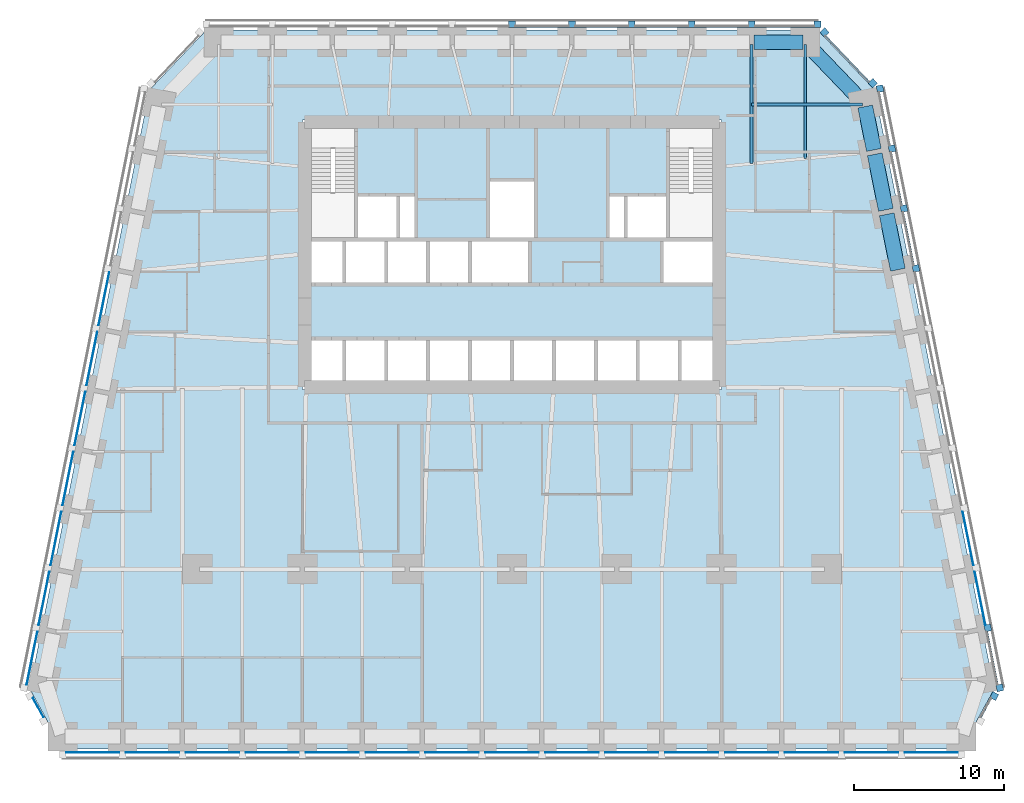
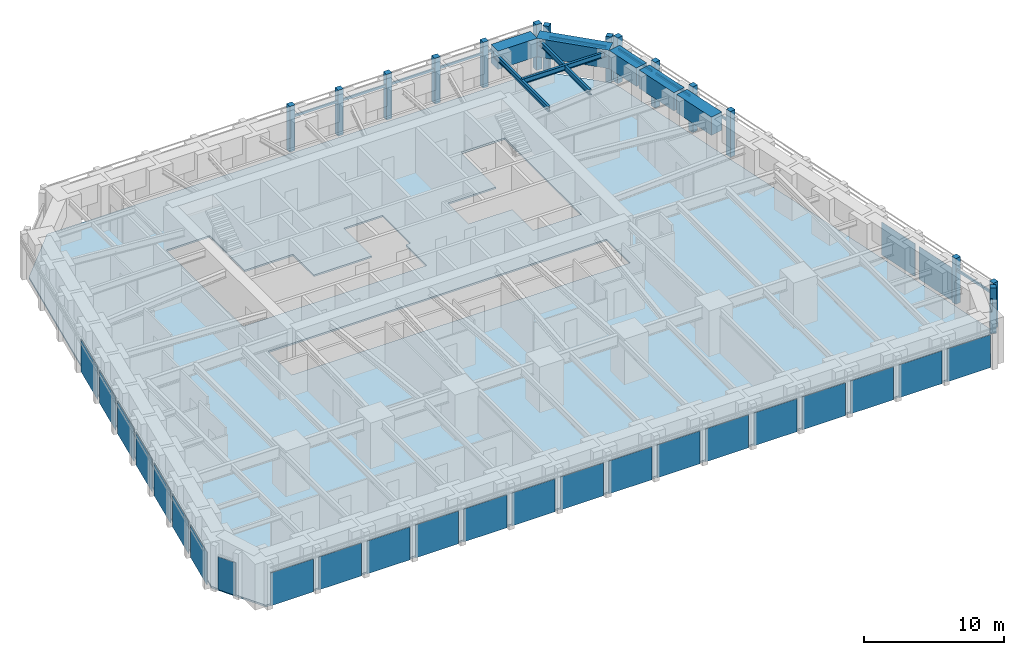
# One storey, part 4 of 10: 26 members, 25 plates, 8 beams, 1 slab, 7 elements without a shape of their own.
"""IFC4 building model written with IfcOpenShell, lengths in metres."""

from ifc_helpers import new_model, si_unit, direction, frame, origin, origin_2d, place, context, subcontext, project, spatial, polyline, rectangle, i_section, outline, extrude, material, layer, layer_set, material_profile, profile_set, type_object, element, aggregate, save


model = new_model("IFC4")

# Units and contexts
model_context = context("Model", 3, precision=1e-05, world=origin(), true_north=direction((0.0, 1.0)))
body_context = subcontext(model_context, "Body", "Model", "MODEL_VIEW")
ifc_project = project(units=[si_unit("LENGTHUNIT", "METRE"), si_unit("AREAUNIT", "SQUARE_METRE"), si_unit("VOLUMEUNIT", "CUBIC_METRE"), si_unit("PLANEANGLEUNIT", "RADIAN"), si_unit("MASSUNIT", "GRAM", prefix="KILO")], contexts=[model_context])

# Site, building, storey
site_placement = place(None, origin())
site = spatial("IfcSite", under=ifc_project, at=site_placement, CompositionType="ELEMENT")
building_placement = place(site_placement, origin())
building = spatial("IfcBuilding", under=site, at=building_placement, Name="Isbrekke Arena Tower", CompositionType="ELEMENT")
storey_placement = place(building_placement, frame((0.0, 0.0, 56.0)))
storey = spatial("IfcBuildingStorey", under=building, at=storey_placement, Name="L11", CompositionType="ELEMENT", Elevation=56.0)

# Beams
ifc_material_1 = material(Name="Steel S355", Category="steel")
ifc_material_profile_1 = material_profile(ifc_material_1, i_section(OverallWidth=0.18994140625, OverallDepth=0.449951171875, WebThickness=0.009521484375, FlangeThickness=0.0146484375, FilletRadius=0.02099609375, at=origin_2d()), Name="IPE 450")
ifc_profile_set_1 = profile_set([ifc_material_profile_1], Name="Steel S355")
beam_type_1 = type_object("IfcBeamType", Name="B2 IPE 450", PredefinedType="BEAM", material=ifc_profile_set_1)
beam_1_placement = place(storey_placement, frame((23.40283203125, 25.029296875, 3.625), z_axis=(-1.0, 0.0, 0.0), x_axis=(0.0, -1.0, 0.0)))
element("IfcBeam", 1, at=beam_1_placement, inside=storey, type_object=beam_type_1, Name="B2 beam E-E11 L11", PredefinedType="BEAM", context=body_context, shape_type="SweptSolid", body=[
    extrude(i_section(OverallWidth=0.18994140625, OverallDepth=0.449951171875, WebThickness=0.009521484375, FlangeThickness=0.0146484375, FilletRadius=0.02099609375, at=origin_2d()), origin(), (0.0, 0.0, 1.0), 7.40283203125),
])
ifc_material_2 = material(Name="Steel S355", Category="steel")
ifc_material_profile_2 = material_profile(ifc_material_2, i_section(OverallWidth=0.18994140625, OverallDepth=0.449951171875, WebThickness=0.009521484375, FlangeThickness=0.0146484375, FilletRadius=0.02099609375, at=origin_2d()), Name="IPE 450")
ifc_profile_set_2 = profile_set([ifc_material_profile_2], Name="Steel S355")
beam_type_2 = type_object("IfcBeamType", Name="B3 IPE 450", PredefinedType="BEAM", material=ifc_profile_set_2)
beam_2_placement = place(storey_placement, frame((19.574951171875, 29.02490234375, 3.625), z_axis=(0.0, -1.0, 0.0), x_axis=(1.0, 0.0, 0.0)))
element("IfcBeam", 2, at=beam_2_placement, inside=storey, type_object=beam_type_2, Name="B3 beam N-N01 L11", PredefinedType="BEAM", context=body_context, shape_type="SweptSolid", body=[
    extrude(i_section(OverallWidth=0.18994140625, OverallDepth=0.449951171875, WebThickness=0.009521484375, FlangeThickness=0.0146484375, FilletRadius=0.02099609375, at=origin_2d()), origin(), (0.0, 0.0, 1.0), 7.616943359375),
])
beam_3_placement = place(storey_placement, frame((16.0, 29.02490234375, 3.625), z_axis=(0.0, -1.0, 0.0), x_axis=(1.0, 0.0, 0.0)))
element("IfcBeam", 3, at=beam_3_placement, inside=storey, type_object=beam_type_2, Name="B3 beam N-N02 L11", PredefinedType="BEAM", context=body_context, shape_type="SweptSolid", body=[
    extrude(i_section(OverallWidth=0.18994140625, OverallDepth=0.449951171875, WebThickness=0.009521484375, FlangeThickness=0.0146484375, FilletRadius=0.02099609375, at=origin_2d()), origin(), (0.0, 0.0, 1.0), 7.961181640625),
])

# Curtain wall, member
ifc_material_3 = material(Name="Glazed aluminium curtain wall", Category="aluminium")
curtain_wall_type = type_object("IfcCurtainWallType", Name="CWL TOWER CURTAIN WALL LOW ZONE", PredefinedType="USERDEFINED", material=ifc_material_3)
curtain_wall_1_placement = place(storey_placement, origin())
curtain_wall_1 = element("IfcCurtainWall", 4, at=curtain_wall_1_placement, inside=storey, type_object=curtain_wall_type, Name="CWL curtain wall L11-SE", ObjectType="TOWER CURTAIN WALL LOW ZONE", PredefinedType="USERDEFINED")
ifc_material_4 = material(Name="Aluminium mullion, pale brick slip cladding", Category="masonry")
ifc_material_profile_3 = material_profile(ifc_material_4, rectangle(XDim=0.449951171875, YDim=0.449951171875, at=origin_2d()), Name="PIER 450X450")
ifc_profile_set_3 = profile_set([ifc_material_profile_3], Name="Aluminium mullion, pale brick slip cladding")
member_type_1 = type_object("IfcMemberType", Name="CWL-M PIER MULLION 450 x 450", PredefinedType="MULLION", material=ifc_profile_set_3)
member_1_placement = place(storey_placement, frame((32.195556640625, -14.47509765625, 0.0), z_axis=(0.0, 0.0, 1.0), x_axis=(0.481918749773, 0.876215908676, 0.0)))
member_1 = element("IfcMember", 5, at=member_1_placement, type_object=member_type_1, Name="CWL-M mullion 2", PredefinedType="MULLION", context=body_context, shape_type="SweptSolid", body=[
    extrude(rectangle(XDim=0.449951171875, YDim=0.449951171875, at=origin_2d()), origin(), (0.0, 0.0, 1.0), 4.0),
])

# Curtain wall, members
curtain_wall_2_placement = place(storey_placement, origin())
curtain_wall_2 = element("IfcCurtainWall", 6, at=curtain_wall_2_placement, inside=storey, type_object=curtain_wall_type, Name="CWL curtain wall L11-E", ObjectType="TOWER CURTAIN WALL LOW ZONE", PredefinedType="USERDEFINED")
member_2_placement = place(storey_placement, frame((32.567626953125, -13.926513671875, 0.0), z_axis=(0.0, 0.0, 1.0), x_axis=(-0.196116135138, 0.980580675691, 0.0)))
member_2 = element("IfcMember", 7, at=member_2_placement, type_object=member_type_1, Name="CWL-M mullion 1", PredefinedType="MULLION", context=body_context, shape_type="SweptSolid", body=[
    extrude(rectangle(XDim=0.449951171875, YDim=0.449951171875, at=origin_2d()), origin(), (0.0, 0.0, 1.0), 4.0),
])
member_3_placement = place(storey_placement, frame((31.767822265625, -9.926513671875, 0.0), z_axis=(0.0, 0.0, 1.0), x_axis=(-0.196116135138, 0.980580675691, 0.0)))
member_3 = element("IfcMember", 8, at=member_3_placement, type_object=member_type_1, Name="CWL-M mullion 2", PredefinedType="MULLION", context=body_context, shape_type="SweptSolid", body=[
    extrude(rectangle(XDim=0.449951171875, YDim=0.449951171875, at=origin_2d()), origin(), (0.0, 0.0, 1.0), 4.0),
])
member_4_placement = place(storey_placement, frame((26.9677734375, 14.073486328125, 0.0), z_axis=(0.0, 0.0, 1.0), x_axis=(-0.196116135138, 0.980580675691, 0.0)))
member_4 = element("IfcMember", 9, at=member_4_placement, type_object=member_type_1, Name="CWL-M mullion 8", PredefinedType="MULLION", context=body_context, shape_type="SweptSolid", body=[
    extrude(rectangle(XDim=0.449951171875, YDim=0.449951171875, at=origin_2d()), origin(), (0.0, 0.0, 1.0), 4.0),
])
member_5_placement = place(storey_placement, frame((26.167724609375, 18.073486328125, 0.0), z_axis=(0.0, 0.0, 1.0), x_axis=(-0.196116135138, 0.980580675691, 0.0)))
member_5 = element("IfcMember", 10, at=member_5_placement, type_object=member_type_1, Name="CWL-M mullion 9", PredefinedType="MULLION", context=body_context, shape_type="SweptSolid", body=[
    extrude(rectangle(XDim=0.449951171875, YDim=0.449951171875, at=origin_2d()), origin(), (0.0, 0.0, 1.0), 4.0),
])
member_6_placement = place(storey_placement, frame((25.36767578125, 22.073486328125, 0.0), z_axis=(0.0, 0.0, 1.0), x_axis=(-0.196116135138, 0.980580675691, 0.0)))
member_6 = element("IfcMember", 11, at=member_6_placement, type_object=member_type_1, Name="CWL-M mullion 10", PredefinedType="MULLION", context=body_context, shape_type="SweptSolid", body=[
    extrude(rectangle(XDim=0.449951171875, YDim=0.449951171875, at=origin_2d()), origin(), (0.0, 0.0, 1.0), 4.0),
])
member_7_placement = place(storey_placement, frame((24.567626953125, 26.073486328125, 0.0), z_axis=(0.0, 0.0, 1.0), x_axis=(-0.196116135138, 0.980580675691, 0.0)))
member_7 = element("IfcMember", 12, at=member_7_placement, type_object=member_type_1, Name="CWL-M mullion 11", PredefinedType="MULLION", context=body_context, shape_type="SweptSolid", body=[
    extrude(rectangle(XDim=0.449951171875, YDim=0.449951171875, at=origin_2d()), origin(), (0.0, 0.0, 1.0), 4.0),
])

curtain_wall_3_placement = place(storey_placement, origin())
curtain_wall_3 = element("IfcCurtainWall", 13, at=curtain_wall_3_placement, inside=storey, type_object=curtain_wall_type, Name="CWL curtain wall L11-EN", ObjectType="TOWER CURTAIN WALL LOW ZONE", PredefinedType="USERDEFINED")
member_8_placement = place(storey_placement, frame((24.08837890625, 26.444091796875, 0.0), z_axis=(0.0, 0.0, 1.0), x_axis=(-0.68874946192, 0.72499943359, 0.0)))
member_8 = element("IfcMember", 14, at=member_8_placement, type_object=member_type_1, Name="CWL-M mullion 1", PredefinedType="MULLION", context=body_context, shape_type="SweptSolid", body=[
    extrude(rectangle(XDim=0.449951171875, YDim=0.449951171875, at=origin_2d()), origin(), (0.0, 0.0, 1.0), 4.0),
])
member_9_placement = place(storey_placement, frame((20.86572265625, 29.83642578125, 0.0), z_axis=(0.0, 0.0, 1.0), x_axis=(-0.68874946192, 0.72499943359, 0.0)))
member_9 = element("IfcMember", 15, at=member_9_placement, type_object=member_type_1, Name="CWL-M mullion 2", PredefinedType="MULLION", context=body_context, shape_type="SweptSolid", body=[
    extrude(rectangle(XDim=0.449951171875, YDim=0.449951171875, at=origin_2d()), origin(), (0.0, 0.0, 1.0), 4.0),
])

curtain_wall_4_placement = place(storey_placement, origin())
curtain_wall_4 = element("IfcCurtainWall", 16, at=curtain_wall_4_placement, inside=storey, type_object=curtain_wall_type, Name="CWL curtain wall L11-N", ObjectType="TOWER CURTAIN WALL LOW ZONE", PredefinedType="USERDEFINED")
member_10_placement = place(storey_placement, frame((20.39990234375, 30.375, 0.0), z_axis=(0.0, 0.0, 1.0), x_axis=(-1.0, 0.0, 0.0)))
member_10 = element("IfcMember", 17, at=member_10_placement, type_object=member_type_1, Name="CWL-M mullion 1", PredefinedType="MULLION", context=body_context, shape_type="SweptSolid", body=[
    extrude(rectangle(XDim=0.449951171875, YDim=0.449951171875, at=origin_2d()), origin(), (0.0, 0.0, 1.0), 4.0),
])
member_11_placement = place(storey_placement, frame((16.0, 30.375, 0.0), z_axis=(0.0, 0.0, 1.0), x_axis=(-1.0, 0.0, 0.0)))
member_11 = element("IfcMember", 18, at=member_11_placement, type_object=member_type_1, Name="CWL-M mullion 2", PredefinedType="MULLION", context=body_context, shape_type="SweptSolid", body=[
    extrude(rectangle(XDim=0.449951171875, YDim=0.449951171875, at=origin_2d()), origin(), (0.0, 0.0, 1.0), 4.0),
])
member_12_placement = place(storey_placement, frame((12.0, 30.375, 0.0), z_axis=(0.0, 0.0, 1.0), x_axis=(-1.0, 0.0, 0.0)))
member_12 = element("IfcMember", 19, at=member_12_placement, type_object=member_type_1, Name="CWL-M mullion 3", PredefinedType="MULLION", context=body_context, shape_type="SweptSolid", body=[
    extrude(rectangle(XDim=0.449951171875, YDim=0.449951171875, at=origin_2d()), origin(), (0.0, 0.0, 1.0), 4.0),
])
member_13_placement = place(storey_placement, frame((8.0, 30.375, 0.0), z_axis=(0.0, 0.0, 1.0), x_axis=(-1.0, 0.0, 0.0)))
member_13 = element("IfcMember", 20, at=member_13_placement, type_object=member_type_1, Name="CWL-M mullion 4", PredefinedType="MULLION", context=body_context, shape_type="SweptSolid", body=[
    extrude(rectangle(XDim=0.449951171875, YDim=0.449951171875, at=origin_2d()), origin(), (0.0, 0.0, 1.0), 4.0),
])
member_14_placement = place(storey_placement, frame((4.0, 30.375, 0.0), z_axis=(0.0, 0.0, 1.0), x_axis=(-1.0, 0.0, 0.0)))
member_14 = element("IfcMember", 21, at=member_14_placement, type_object=member_type_1, Name="CWL-M mullion 5", PredefinedType="MULLION", context=body_context, shape_type="SweptSolid", body=[
    extrude(rectangle(XDim=0.449951171875, YDim=0.449951171875, at=origin_2d()), origin(), (0.0, 0.0, 1.0), 4.0),
])
member_15_placement = place(storey_placement, frame((0.0, 30.375, 0.0), z_axis=(0.0, 0.0, 1.0), x_axis=(-1.0, 0.0, 0.0)))
member_15 = element("IfcMember", 22, at=member_15_placement, type_object=member_type_1, Name="CWL-M mullion 6", PredefinedType="MULLION", context=body_context, shape_type="SweptSolid", body=[
    extrude(rectangle(XDim=0.449951171875, YDim=0.449951171875, at=origin_2d()), origin(), (0.0, 0.0, 1.0), 4.0),
])

# Member
ifc_material_5 = material(Name="Aluminium transom", Category="aluminium")
ifc_material_profile_4 = material_profile(ifc_material_5, rectangle(XDim=0.1201171875, YDim=0.199951171875, at=origin_2d()), Name="TRANSOM 120X200")
ifc_profile_set_4 = profile_set([ifc_material_profile_4], Name="Aluminium transom")
member_type_2 = type_object("IfcMemberType", Name="CWL-T TRANSOM 120 x 200", PredefinedType="USERDEFINED", material=ifc_profile_set_4)
member_16_placement = place(storey_placement, frame((31.277099609375, -15.88525390625, 3.0), z_axis=(0.481944543569, 0.876201721594, 0.0), x_axis=(-0.876201721594, 0.481944543569, 0.0)))
member_16 = element("IfcMember", 23, at=member_16_placement, type_object=member_type_2, Name="CWL-T transom 1", ObjectType="TRANSOM", PredefinedType="USERDEFINED", context=body_context, shape_type="SweptSolid", body=[
    extrude(rectangle(XDim=0.1201171875, YDim=0.199951171875, at=origin_2d()), origin(), (0.0, 0.0, 1.0), 1.453369140625),
])

aggregate(curtain_wall_1, [member_1, member_16])

member_17_placement = place(storey_placement, frame((32.401123046875, -13.730224609375, 3.0), z_axis=(-0.196167883278, 0.980570324643, 0.0), x_axis=(-0.980570324643, -0.196167883278, 0.0)))
member_17 = element("IfcMember", 24, at=member_17_placement, type_object=member_type_2, Name="CWL-T transom 1", ObjectType="TRANSOM", PredefinedType="USERDEFINED", context=body_context, shape_type="SweptSolid", body=[
    extrude(rectangle(XDim=0.1201171875, YDim=0.199951171875, at=origin_2d()), origin(), (0.0, 0.0, 1.0), 3.629150390625),
])

member_18_placement = place(storey_placement, frame((26.801025390625, 14.269775390625, 3.0), z_axis=(-0.196103197847, 0.98058326306, 0.0), x_axis=(-0.98058326306, -0.196103197847, 0.0)))
member_18 = element("IfcMember", 25, at=member_18_placement, type_object=member_type_2, Name="CWL-T transom 8", ObjectType="TRANSOM", PredefinedType="USERDEFINED", context=body_context, shape_type="SweptSolid", body=[
    extrude(rectangle(XDim=0.1201171875, YDim=0.199951171875, at=origin_2d()), origin(), (0.0, 0.0, 1.0), 3.629150390625),
])

member_19_placement = place(storey_placement, frame((26.0009765625, 18.269775390625, 3.0), z_axis=(-0.196103197847, 0.98058326306, 0.0), x_axis=(-0.98058326306, -0.196103197847, 0.0)))
member_19 = element("IfcMember", 26, at=member_19_placement, type_object=member_type_2, Name="CWL-T transom 9", ObjectType="TRANSOM", PredefinedType="USERDEFINED", context=body_context, shape_type="SweptSolid", body=[
    extrude(rectangle(XDim=0.1201171875, YDim=0.199951171875, at=origin_2d()), origin(), (0.0, 0.0, 1.0), 3.629150390625),
])

member_20_placement = place(storey_placement, frame((25.200927734375, 22.269775390625, 3.0), z_axis=(-0.196103197847, 0.98058326306, 0.0), x_axis=(-0.98058326306, -0.196103197847, 0.0)))
member_20 = element("IfcMember", 27, at=member_20_placement, type_object=member_type_2, Name="CWL-T transom 10", ObjectType="TRANSOM", PredefinedType="USERDEFINED", context=body_context, shape_type="SweptSolid", body=[
    extrude(rectangle(XDim=0.1201171875, YDim=0.199951171875, at=origin_2d()), origin(), (0.0, 0.0, 1.0), 3.629150390625),
])

member_21_placement = place(storey_placement, frame((23.8427734375, 26.521240234375, 3.0), z_axis=(-0.688776771287, 0.724973488712, 0.0), x_axis=(-0.724973488712, -0.688776771287, 0.0)))
member_21 = element("IfcMember", 28, at=member_21_placement, type_object=member_type_2, Name="CWL-T transom 1", ObjectType="TRANSOM", PredefinedType="USERDEFINED", context=body_context, shape_type="SweptSolid", body=[
    extrude(rectangle(XDim=0.1201171875, YDim=0.199951171875, at=origin_2d()), origin(), (0.0, 0.0, 1.0), 4.22900390625),
])

aggregate(curtain_wall_3, [member_8, member_9, member_21])

member_22_placement = place(storey_placement, frame((20.175048828125, 30.25, 3.0), z_axis=(-1.0, 0.0, 0.0), x_axis=(0.0, -1.0, 0.0)))
member_22 = element("IfcMember", 29, at=member_22_placement, type_object=member_type_2, Name="CWL-T transom 1", ObjectType="TRANSOM", PredefinedType="USERDEFINED", context=body_context, shape_type="SweptSolid", body=[
    extrude(rectangle(XDim=0.1201171875, YDim=0.199951171875, at=origin_2d()), origin(), (0.0, 0.0, 1.0), 3.949951171875),
])

member_23_placement = place(storey_placement, frame((15.77490234375, 30.25, 3.0), z_axis=(-1.0, 0.0, 0.0), x_axis=(0.0, -1.0, 0.0)))
member_23 = element("IfcMember", 30, at=member_23_placement, type_object=member_type_2, Name="CWL-T transom 2", ObjectType="TRANSOM", PredefinedType="USERDEFINED", context=body_context, shape_type="SweptSolid", body=[
    extrude(rectangle(XDim=0.1201171875, YDim=0.199951171875, at=origin_2d()), origin(), (0.0, 0.0, 1.0), 3.5498046875),
])

member_24_placement = place(storey_placement, frame((11.77490234375, 30.25, 3.0), z_axis=(-1.0, 0.0, 0.0), x_axis=(0.0, -1.0, 0.0)))
member_24 = element("IfcMember", 31, at=member_24_placement, type_object=member_type_2, Name="CWL-T transom 3", ObjectType="TRANSOM", PredefinedType="USERDEFINED", context=body_context, shape_type="SweptSolid", body=[
    extrude(rectangle(XDim=0.1201171875, YDim=0.199951171875, at=origin_2d()), origin(), (0.0, 0.0, 1.0), 3.5498046875),
])

member_25_placement = place(storey_placement, frame((7.77490234375, 30.25, 3.0), z_axis=(-1.0, 0.0, 0.0), x_axis=(0.0, -1.0, 0.0)))
member_25 = element("IfcMember", 32, at=member_25_placement, type_object=member_type_2, Name="CWL-T transom 4", ObjectType="TRANSOM", PredefinedType="USERDEFINED", context=body_context, shape_type="SweptSolid", body=[
    extrude(rectangle(XDim=0.1201171875, YDim=0.199951171875, at=origin_2d()), origin(), (0.0, 0.0, 1.0), 3.5498046875),
])

member_26_placement = place(storey_placement, frame((3.77490234375, 30.25, 3.0), z_axis=(-1.0, 0.0, 0.0), x_axis=(0.0, -1.0, 0.0)))
member_26 = element("IfcMember", 33, at=member_26_placement, type_object=member_type_2, Name="CWL-T transom 5", ObjectType="TRANSOM", PredefinedType="USERDEFINED", context=body_context, shape_type="SweptSolid", body=[
    extrude(rectangle(XDim=0.1201171875, YDim=0.199951171875, at=origin_2d()), origin(), (0.0, 0.0, 1.0), 3.5498046875),
])

aggregate(curtain_wall_4, [member_10, member_11, member_12, member_13, member_14, member_15, member_22, member_23, member_24, member_25, member_26])

# Beams
ifc_material_6 = material(Name="Concrete B90 (C90/105)", Category="concrete")
ifc_material_profile_5 = material_profile(ifc_material_6, rectangle(XDim=1.0, YDim=1.60009765625, at=origin_2d()), Name="RC 1000x1600")
ifc_profile_set_5 = profile_set([ifc_material_profile_5], Name="Concrete B90 (C90/105)")
beam_type_3 = type_object("IfcBeamType", Name="SB1 RC 1000 x 1600", PredefinedType="SPANDREL", material=ifc_profile_set_5)
for number, where, z_axis, x_axis, name in (
    (34, (25.76171875, 13.9853515625, 3.199951171875), (-0.196128558387, 0.980578190959, 0.0), (-0.980578190959, -0.196128558387, 0.0), "SB1 spandrel E08-E09 L11"),
    (35, (24.961669921875, 17.9853515625, 3.199951171875), (-0.196128558387, 0.980578190959, 0.0), (-0.980578190959, -0.196128558387, 0.0), "SB1 spandrel E09-E10 L11"),
):
    element("IfcBeam", number, at=place(storey_placement, frame(where, z_axis=z_axis, x_axis=x_axis)), inside=storey, type_object=beam_type_3, Name=name, PredefinedType="SPANDREL", context=body_context, shape_type="SweptSolid", body=[
        extrude(rectangle(XDim=1.0, YDim=1.60009765625, at=origin_2d()), origin(), (0.0, 0.0, 1.0), 3.779296875),
    ])
beam_4_placement = place(storey_placement, frame((24.16162109375, 21.9853515625, 3.199951171875), z_axis=(-0.196116135138, 0.980580675691, 0.0), x_axis=(-0.980580675691, -0.196116135138, 0.0)))
element("IfcBeam", 36, at=beam_4_placement, inside=storey, type_object=beam_type_3, Name="SB1 spandrel E10-E11 L11", PredefinedType="SPANDREL", context=body_context, shape_type="SweptSolid", body=[
    extrude(rectangle(XDim=1.0, YDim=1.60009765625, at=origin_2d()), origin(), (0.0, 0.0, 1.0), 2.9541015625),
])
beam_5_placement = place(storey_placement, frame((23.448974609375, 25.137451171875, 3.199951171875), z_axis=(-0.692339547635, 0.721571861134, 0.0), x_axis=(-0.721571861134, -0.692339547635, 0.0)))
element("IfcBeam", 37, at=beam_5_placement, inside=storey, type_object=beam_type_3, Name="SB1 spandrel E11-N01 L11", PredefinedType="SPANDREL", context=body_context, shape_type="SweptSolid", body=[
    extrude(rectangle(XDim=1.0, YDim=1.60009765625, at=origin_2d()), origin(), (0.0, 0.0, 1.0), 5.4453125),
])
beam_6_placement = place(storey_placement, frame((19.425048828125, 29.175048828125, 3.199951171875), z_axis=(-1.0, 0.0, 0.0), x_axis=(0.0, -1.0, 0.0)))
element("IfcBeam", 38, at=beam_6_placement, inside=storey, type_object=beam_type_3, Name="SB1 spandrel N01-N02 L11", PredefinedType="SPANDREL", context=body_context, shape_type="SweptSolid", body=[
    extrude(rectangle(XDim=1.0, YDim=1.60009765625, at=origin_2d()), origin(), (0.0, 0.0, 1.0), 3.275146484375),
])

# Curtain wall, plates
curtain_wall_5_placement = place(storey_placement, origin())
curtain_wall_5 = element("IfcCurtainWall", 39, at=curtain_wall_5_placement, inside=storey, type_object=curtain_wall_type, Name="CWL curtain wall L11-S", ObjectType="TOWER CURTAIN WALL LOW ZONE", PredefinedType="USERDEFINED")
ifc_material_7 = material(Name="Triple-glazed clear glass unit", Category="glass")
ifc_layer_1 = layer(ifc_material_7, 0.031982421875)
ifc_layer_set_1 = layer_set([ifc_layer_1], Name="CWL-P VISION PANEL")
plate_type = type_object("IfcPlateType", Name="CWL-P VISION PANEL", PredefinedType="CURTAIN_PANEL", material=ifc_layer_set_1)
plate_1_placement = place(storey_placement, frame((-28.0, -18.25, 0.02001953125), z_axis=(0.0, 0.0, 1.0), x_axis=(1.0, 0.0, 0.0)))
plate_1 = element("IfcPlate", 40, at=plate_1_placement, type_object=plate_type, Name="CWL-P panel 1", PredefinedType="CURTAIN_PANEL", context=body_context, shape_type="SweptSolid", body=[
    extrude(rectangle(XDim=3.550048828125, YDim=0.031982421875, at=origin_2d()), origin(), (0.0, 0.0, 1.0), 2.8798828125),
])
plate_2_placement = place(storey_placement, frame((-24.0, -18.25, 0.02001953125), z_axis=(0.0, 0.0, 1.0), x_axis=(1.0, 0.0, 0.0)))
plate_2 = element("IfcPlate", 41, at=plate_2_placement, type_object=plate_type, Name="CWL-P panel 2", PredefinedType="CURTAIN_PANEL", context=body_context, shape_type="SweptSolid", body=[
    extrude(rectangle(XDim=3.550048828125, YDim=0.031982421875, at=origin_2d()), origin(), (0.0, 0.0, 1.0), 2.8798828125),
])
plate_3_placement = place(storey_placement, frame((-20.0, -18.25, 0.02001953125), z_axis=(0.0, 0.0, 1.0), x_axis=(1.0, 0.0, 0.0)))
plate_3 = element("IfcPlate", 42, at=plate_3_placement, type_object=plate_type, Name="CWL-P panel 3", PredefinedType="CURTAIN_PANEL", context=body_context, shape_type="SweptSolid", body=[
    extrude(rectangle(XDim=3.550048828125, YDim=0.031982421875, at=origin_2d()), origin(), (0.0, 0.0, 1.0), 2.8798828125),
])
plate_4_placement = place(storey_placement, frame((-16.0, -18.25, 0.02001953125), z_axis=(0.0, 0.0, 1.0), x_axis=(1.0, 0.0, 0.0)))
plate_4 = element("IfcPlate", 43, at=plate_4_placement, type_object=plate_type, Name="CWL-P panel 4", PredefinedType="CURTAIN_PANEL", context=body_context, shape_type="SweptSolid", body=[
    extrude(rectangle(XDim=3.550048828125, YDim=0.031982421875, at=origin_2d()), origin(), (0.0, 0.0, 1.0), 2.8798828125),
])
plate_5_placement = place(storey_placement, frame((-12.0, -18.25, 0.02001953125), z_axis=(0.0, 0.0, 1.0), x_axis=(1.0, 0.0, 0.0)))
plate_5 = element("IfcPlate", 44, at=plate_5_placement, type_object=plate_type, Name="CWL-P panel 5", PredefinedType="CURTAIN_PANEL", context=body_context, shape_type="SweptSolid", body=[
    extrude(rectangle(XDim=3.550048828125, YDim=0.031982421875, at=origin_2d()), origin(), (0.0, 0.0, 1.0), 2.8798828125),
])
plate_6_placement = place(storey_placement, frame((-8.0, -18.25, 0.02001953125), z_axis=(0.0, 0.0, 1.0), x_axis=(1.0, 0.0, 0.0)))
plate_6 = element("IfcPlate", 45, at=plate_6_placement, type_object=plate_type, Name="CWL-P panel 6", PredefinedType="CURTAIN_PANEL", context=body_context, shape_type="SweptSolid", body=[
    extrude(rectangle(XDim=3.550048828125, YDim=0.031982421875, at=origin_2d()), origin(), (0.0, 0.0, 1.0), 2.8798828125),
])
plate_7_placement = place(storey_placement, frame((-4.0, -18.25, 0.02001953125), z_axis=(0.0, 0.0, 1.0), x_axis=(1.0, 0.0, 0.0)))
plate_7 = element("IfcPlate", 46, at=plate_7_placement, type_object=plate_type, Name="CWL-P panel 7", PredefinedType="CURTAIN_PANEL", context=body_context, shape_type="SweptSolid", body=[
    extrude(rectangle(XDim=3.550048828125, YDim=0.031982421875, at=origin_2d()), origin(), (0.0, 0.0, 1.0), 2.8798828125),
])
plate_8_placement = place(storey_placement, frame((0.0, -18.25, 0.02001953125), z_axis=(0.0, 0.0, 1.0), x_axis=(1.0, 0.0, 0.0)))
plate_8 = element("IfcPlate", 47, at=plate_8_placement, type_object=plate_type, Name="CWL-P panel 8", PredefinedType="CURTAIN_PANEL", context=body_context, shape_type="SweptSolid", body=[
    extrude(rectangle(XDim=3.550048828125, YDim=0.031982421875, at=origin_2d()), origin(), (0.0, 0.0, 1.0), 2.8798828125),
])
plate_9_placement = place(storey_placement, frame((4.0, -18.25, 0.02001953125), z_axis=(0.0, 0.0, 1.0), x_axis=(1.0, 0.0, 0.0)))
plate_9 = element("IfcPlate", 48, at=plate_9_placement, type_object=plate_type, Name="CWL-P panel 9", PredefinedType="CURTAIN_PANEL", context=body_context, shape_type="SweptSolid", body=[
    extrude(rectangle(XDim=3.550048828125, YDim=0.031982421875, at=origin_2d()), origin(), (0.0, 0.0, 1.0), 2.8798828125),
])
plate_10_placement = place(storey_placement, frame((8.0, -18.25, 0.02001953125), z_axis=(0.0, 0.0, 1.0), x_axis=(1.0, 0.0, 0.0)))
plate_10 = element("IfcPlate", 49, at=plate_10_placement, type_object=plate_type, Name="CWL-P panel 10", PredefinedType="CURTAIN_PANEL", context=body_context, shape_type="SweptSolid", body=[
    extrude(rectangle(XDim=3.550048828125, YDim=0.031982421875, at=origin_2d()), origin(), (0.0, 0.0, 1.0), 2.8798828125),
])
plate_11_placement = place(storey_placement, frame((12.0, -18.25, 0.02001953125), z_axis=(0.0, 0.0, 1.0), x_axis=(1.0, 0.0, 0.0)))
plate_11 = element("IfcPlate", 50, at=plate_11_placement, type_object=plate_type, Name="CWL-P panel 11", PredefinedType="CURTAIN_PANEL", context=body_context, shape_type="SweptSolid", body=[
    extrude(rectangle(XDim=3.550048828125, YDim=0.031982421875, at=origin_2d()), origin(), (0.0, 0.0, 1.0), 2.8798828125),
])
plate_12_placement = place(storey_placement, frame((16.0, -18.25, 0.02001953125), z_axis=(0.0, 0.0, 1.0), x_axis=(1.0, 0.0, 0.0)))
plate_12 = element("IfcPlate", 51, at=plate_12_placement, type_object=plate_type, Name="CWL-P panel 12", PredefinedType="CURTAIN_PANEL", context=body_context, shape_type="SweptSolid", body=[
    extrude(rectangle(XDim=3.550048828125, YDim=0.031982421875, at=origin_2d()), origin(), (0.0, 0.0, 1.0), 2.8798828125),
])
plate_13_placement = place(storey_placement, frame((20.0, -18.25, 0.02001953125), z_axis=(0.0, 0.0, 1.0), x_axis=(1.0, 0.0, 0.0)))
plate_13 = element("IfcPlate", 52, at=plate_13_placement, type_object=plate_type, Name="CWL-P panel 13", PredefinedType="CURTAIN_PANEL", context=body_context, shape_type="SweptSolid", body=[
    extrude(rectangle(XDim=3.550048828125, YDim=0.031982421875, at=origin_2d()), origin(), (0.0, 0.0, 1.0), 2.8798828125),
])
plate_14_placement = place(storey_placement, frame((24.0, -18.25, 0.02001953125), z_axis=(0.0, 0.0, 1.0), x_axis=(1.0, 0.0, 0.0)))
plate_14 = element("IfcPlate", 53, at=plate_14_placement, type_object=plate_type, Name="CWL-P panel 14", PredefinedType="CURTAIN_PANEL", context=body_context, shape_type="SweptSolid", body=[
    extrude(rectangle(XDim=3.550048828125, YDim=0.031982421875, at=origin_2d()), origin(), (0.0, 0.0, 1.0), 2.8798828125),
])
plate_15_placement = place(storey_placement, frame((28.0, -18.25, 0.02001953125), z_axis=(0.0, 0.0, 1.0), x_axis=(1.0, 0.0, 0.0)))
plate_15 = element("IfcPlate", 54, at=plate_15_placement, type_object=plate_type, Name="CWL-P panel 15", PredefinedType="CURTAIN_PANEL", context=body_context, shape_type="SweptSolid", body=[
    extrude(rectangle(XDim=3.550048828125, YDim=0.031982421875, at=origin_2d()), origin(), (0.0, 0.0, 1.0), 2.8798828125),
])
aggregate(curtain_wall_5, [plate_1, plate_2, plate_3, plate_4, plate_5, plate_6, plate_7, plate_8, plate_9, plate_10, plate_11, plate_12, plate_13, plate_14, plate_15])

# Plate
plate_16_placement = place(storey_placement, frame((31.2451171875, -7.950927734375, 0.02001953125), z_axis=(0.0, 0.0, 1.0), x_axis=(-0.196116135138, 0.980580675691, 0.0)))
plate_16 = element("IfcPlate", 55, at=plate_16_placement, type_object=plate_type, Name="CWL-P panel 2", PredefinedType="CURTAIN_PANEL", context=body_context, shape_type="SweptSolid", body=[
    extrude(rectangle(XDim=3.629150390625, YDim=0.031982421875, at=origin_2d()), origin(), (0.0, 0.0, 1.0), 2.8798828125),
])

plate_17_placement = place(storey_placement, frame((30.445068359375, -3.950927734375, 0.02001953125), z_axis=(0.0, 0.0, 1.0), x_axis=(-0.196116135138, 0.980580675691, 0.0)))
plate_17 = element("IfcPlate", 56, at=plate_17_placement, type_object=plate_type, Name="CWL-P panel 3", PredefinedType="CURTAIN_PANEL", context=body_context, shape_type="SweptSolid", body=[
    extrude(rectangle(XDim=3.629150390625, YDim=0.031982421875, at=origin_2d()), origin(), (0.0, 0.0, 1.0), 2.8798828125),
])

aggregate(curtain_wall_2, [member_2, member_3, member_4, member_5, member_6, member_7, member_17, plate_16, plate_17, member_18, member_19, member_20])

# Curtain wall, plates
curtain_wall_6_placement = place(storey_placement, origin())
curtain_wall_6 = element("IfcCurtainWall", 57, at=curtain_wall_6_placement, inside=storey, type_object=curtain_wall_type, Name="CWL curtain wall L11-W", ObjectType="TOWER CURTAIN WALL LOW ZONE", PredefinedType="USERDEFINED")
plate_18_placement = place(storey_placement, frame((-27.2451171875, 12.049072265625, 0.02001953125), z_axis=(0.0, 0.0, 1.0), x_axis=(-0.196116135138, -0.980580675691, 0.0)))
plate_18 = element("IfcPlate", 58, at=plate_18_placement, type_object=plate_type, Name="CWL-P panel 4", PredefinedType="CURTAIN_PANEL", context=body_context, shape_type="SweptSolid", body=[
    extrude(rectangle(XDim=3.629150390625, YDim=0.031982421875, at=origin_2d()), origin(), (0.0, 0.0, 1.0), 2.8798828125),
])
plate_19_placement = place(storey_placement, frame((-28.045166015625, 8.049072265625, 0.02001953125), z_axis=(0.0, 0.0, 1.0), x_axis=(-0.196116135138, -0.980580675691, 0.0)))
plate_19 = element("IfcPlate", 59, at=plate_19_placement, type_object=plate_type, Name="CWL-P panel 5", PredefinedType="CURTAIN_PANEL", context=body_context, shape_type="SweptSolid", body=[
    extrude(rectangle(XDim=3.629150390625, YDim=0.031982421875, at=origin_2d()), origin(), (0.0, 0.0, 1.0), 2.8798828125),
])
plate_20_placement = place(storey_placement, frame((-28.84521484375, 4.049072265625, 0.02001953125), z_axis=(0.0, 0.0, 1.0), x_axis=(-0.196116135138, -0.980580675691, 0.0)))
plate_20 = element("IfcPlate", 60, at=plate_20_placement, type_object=plate_type, Name="CWL-P panel 6", PredefinedType="CURTAIN_PANEL", context=body_context, shape_type="SweptSolid", body=[
    extrude(rectangle(XDim=3.629150390625, YDim=0.031982421875, at=origin_2d()), origin(), (0.0, 0.0, 1.0), 2.8798828125),
])
plate_21_placement = place(storey_placement, frame((-29.645263671875, 0.049072265625, 0.02001953125), z_axis=(0.0, 0.0, 1.0), x_axis=(-0.196116135138, -0.980580675691, 0.0)))
plate_21 = element("IfcPlate", 61, at=plate_21_placement, type_object=plate_type, Name="CWL-P panel 7", PredefinedType="CURTAIN_PANEL", context=body_context, shape_type="SweptSolid", body=[
    extrude(rectangle(XDim=3.629150390625, YDim=0.031982421875, at=origin_2d()), origin(), (0.0, 0.0, 1.0), 2.8798828125),
])
plate_22_placement = place(storey_placement, frame((-30.445068359375, -3.950927734375, 0.02001953125), z_axis=(0.0, 0.0, 1.0), x_axis=(-0.196116135138, -0.980580675691, 0.0)))
plate_22 = element("IfcPlate", 62, at=plate_22_placement, type_object=plate_type, Name="CWL-P panel 8", PredefinedType="CURTAIN_PANEL", context=body_context, shape_type="SweptSolid", body=[
    extrude(rectangle(XDim=3.629150390625, YDim=0.031982421875, at=origin_2d()), origin(), (0.0, 0.0, 1.0), 2.8798828125),
])
plate_23_placement = place(storey_placement, frame((-31.2451171875, -7.950927734375, 0.02001953125), z_axis=(0.0, 0.0, 1.0), x_axis=(-0.196116135138, -0.980580675691, 0.0)))
plate_23 = element("IfcPlate", 63, at=plate_23_placement, type_object=plate_type, Name="CWL-P panel 9", PredefinedType="CURTAIN_PANEL", context=body_context, shape_type="SweptSolid", body=[
    extrude(rectangle(XDim=3.629150390625, YDim=0.031982421875, at=origin_2d()), origin(), (0.0, 0.0, 1.0), 2.8798828125),
])
plate_24_placement = place(storey_placement, frame((-32.045166015625, -11.950927734375, 0.02001953125), z_axis=(0.0, 0.0, 1.0), x_axis=(-0.196116135138, -0.980580675691, 0.0)))
plate_24 = element("IfcPlate", 64, at=plate_24_placement, type_object=plate_type, Name="CWL-P panel 10", PredefinedType="CURTAIN_PANEL", context=body_context, shape_type="SweptSolid", body=[
    extrude(rectangle(XDim=3.629150390625, YDim=0.031982421875, at=origin_2d()), origin(), (0.0, 0.0, 1.0), 2.8798828125),
])
aggregate(curtain_wall_6, [plate_18, plate_19, plate_20, plate_21, plate_22, plate_23, plate_24])

# Curtain wall, plate
curtain_wall_7_placement = place(storey_placement, origin())
curtain_wall_7 = element("IfcCurtainWall", 65, at=curtain_wall_7_placement, inside=storey, type_object=curtain_wall_type, Name="CWL curtain wall L11-WS", ObjectType="TOWER CURTAIN WALL LOW ZONE", PredefinedType="USERDEFINED")
plate_25_placement = place(storey_placement, frame((-31.627197265625, -15.2490234375, 0.02001953125), z_axis=(0.0, 0.0, 1.0), x_axis=(0.481918749773, -0.876215908676, 0.0)))
plate_25 = element("IfcPlate", 66, at=plate_25_placement, type_object=plate_type, Name="CWL-P panel 1", PredefinedType="CURTAIN_PANEL", context=body_context, shape_type="SweptSolid", body=[
    extrude(rectangle(XDim=1.455322265625, YDim=0.031982421875, at=origin_2d()), origin(), (0.0, 0.0, 1.0), 2.8798828125),
])
aggregate(curtain_wall_7, [plate_25])

# Slab
ifc_material_8 = material(Name="Concrete B35 (C35/45)", Category="concrete")
ifc_layer_2 = layer(ifc_material_8, 0.14990234375)
ifc_layer_set_2 = layer_set([ifc_layer_2], Name="FS1 COMPOSITE FLOOR 150")
slab_type = type_object("IfcSlabType", Name="FS1 COMPOSITE FLOOR 150", PredefinedType="FLOOR", material=ifc_layer_set_2)
slab_placement = place(storey_placement, frame((0.0, 0.0, -0.14990234375)))
element("IfcSlab", 67, at=slab_placement, inside=storey, type_object=slab_type, Name="FS1 floor slab L11", PredefinedType="FLOOR", context=body_context, shape_type="SweptSolid", body=[
    extrude(outline(polyline([(-30.0, -18.0), (30.0, -18.0), (32.199951171875, -14.0), (24.199951171875, 26.0), (20.39990234375, 30.0), (-20.39990234375, 30.0), (-24.199951171875, 26.0), (-32.199951171875, -14.0), (-30.0, -18.0)]), holes=[polyline([(14.0, 9.39990234375), (14.0, 6.0), (-14.0, 6.0), (-14.0, 9.39990234375), (14.0, 9.39990234375)]), polyline([(-6.39990234375, 19.0), (-6.39990234375, 16.0), (-1.60009765625, 16.0), (-1.60009765625, 20.0), (1.60009765625, 20.0), (1.60009765625, 16.0), (1.199951171875, 16.0), (1.199951171875, 13.0), (-14.0, 13.0), (-14.0, 24.0), (-10.39990234375, 24.0), (-10.39990234375, 19.0), (-6.39990234375, 19.0)]), polyline([(10.0, 13.0), (10.0, 16.0), (6.39990234375, 16.0), (6.39990234375, 19.0), (10.39990234375, 19.0), (10.39990234375, 24.0), (14.0, 24.0), (14.0, 13.0), (10.0, 13.0)])]), origin(), (0.0, 0.0, 1.0), 0.14990234375),
])

save(model, "model.ifc")
